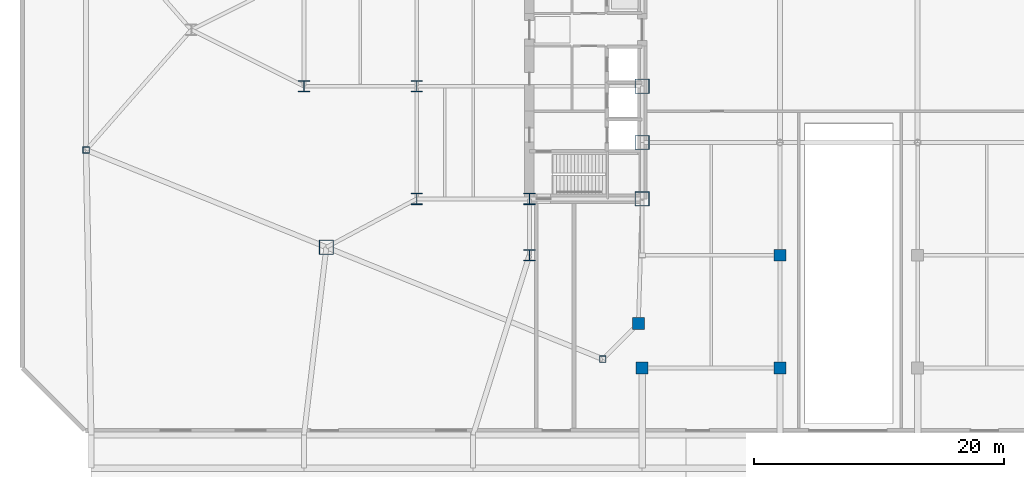
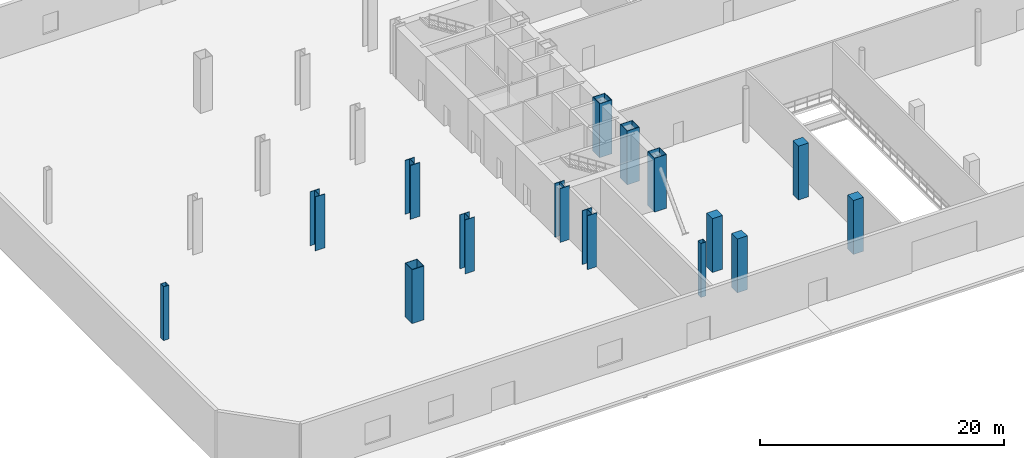
# One storey, part 1 of 21: 15 columns.
"""IFC4 building model written with IfcOpenShell, lengths in metres."""

from ifc_helpers import new_model, si_unit, direction, frame, origin, origin_2d, place, context, subcontext, project, spatial, rectangle, hollow_rectangle, i_section, extrude, source, transform, mapped, material, material_profile, profile_set, type_object, type_shapes, element, save


model = new_model("IFC4")

# Units and contexts
model_context = context("Model", 3, precision=1e-05, world=origin(), true_north=direction((0.0, 1.0)))
body_context = subcontext(model_context, "Body", "Model", "MODEL_VIEW")
ifc_project = project(units=[si_unit("LENGTHUNIT", "METRE"), si_unit("AREAUNIT", "SQUARE_METRE"), si_unit("VOLUMEUNIT", "CUBIC_METRE"), si_unit("PLANEANGLEUNIT", "RADIAN"), si_unit("MASSUNIT", "GRAM", prefix="KILO")], contexts=[model_context])

# Site, building, storey
site_placement = place(None, origin())
site = spatial("IfcSite", under=ifc_project, at=site_placement, CompositionType="ELEMENT")
building_placement = place(site_placement, origin())
building = spatial("IfcBuilding", under=site, at=building_placement, Name="Seokmaru Belvedere", CompositionType="ELEMENT")
storey_placement = place(building_placement, origin())
storey = spatial("IfcBuildingStorey", under=building, at=storey_placement, Name="L00", CompositionType="ELEMENT", Elevation=0.0)

# Columns
ifc_material_1 = material(Name="Steel HSA650 (650 MPa)", Category="steel")
ifc_material_profile_1 = material_profile(ifc_material_1, hollow_rectangle(XDim=1.14990234375, YDim=1.14990234375, WallThickness=0.048095703125, at=origin_2d()), Name="BOX-1150x1150x48")
ifc_profile_set_1 = profile_set([ifc_material_profile_1], Name="Steel HSA650 (650 MPa)")
column_type_1 = type_object("IfcColumnType", Name="Portal Spine Column BOX-1150", PredefinedType="COLUMN", material=ifc_profile_set_1)
shared_shape_1 = source(origin(), body_context, "Body", "SweptSolid", [
    extrude(hollow_rectangle(XDim=1.14990234375, YDim=1.14990234375, WallThickness=0.048095703125, at=origin_2d()), origin(), (0.0, 0.0, 1.0), 5.39990234375),
])
type_shapes(column_type_1, [shared_shape_1])
for number, where, z_axis, x_axis, name in (
    (1, (-27.5, -13.5, 0.0), (0.0, 0.0, 1.0), (1.0, 0.0, 0.0), "L00 Column WS1"),
    (2, (-27.5, -9.0, 0.0), (0.0, 0.0, 1.0), (1.0, 0.0, 0.0), "L00 Column WS2"),
    (3, (-27.5, -4.5, 0.0), (0.0, 0.0, 1.0), (1.0, 0.0, 0.0), "L00 Column WS3"),
    (4, (-52.715576171875, -17.360595703125, 0.0), (0.0, 0.0, 1.0), (1.0, 0.0, 0.0), "L00 Column WFLK_S2"),
):
    element("IfcColumn", number, at=place(storey_placement, frame(where, z_axis=z_axis, x_axis=x_axis)), inside=storey, type_object=column_type_1, Name=name, PredefinedType="COLUMN", context=body_context, shape_type="MappedRepresentation", body=[
        mapped(shared_shape_1, transform((0.0, 0.0, 0.0), scale=1.0)),
    ])
ifc_material_2 = material(Name="Concrete C50 (50 MPa)", Category="concrete")
ifc_material_profile_2 = material_profile(ifc_material_2, rectangle(XDim=0.949951171875, YDim=0.949951171875, at=origin_2d()), Name="RC-950x950")
ifc_profile_set_2 = profile_set([ifc_material_profile_2], Name="Concrete C50 (50 MPa)")
column_type_2 = type_object("IfcColumnType", Name="Podium Substructure Column RC-950", PredefinedType="COLUMN", material=ifc_profile_set_2)
shared_shape_2 = source(origin(), body_context, "Body", "SweptSolid", [
    extrude(rectangle(XDim=0.949951171875, YDim=0.949951171875, at=origin_2d()), origin(), (0.0, 0.0, 1.0), 5.39990234375),
])
type_shapes(column_type_2, [shared_shape_2])
for number, where, z_axis, x_axis, name in (
    (5, (-27.5, -27.0, 0.0), (0.0, 0.0, 1.0), (1.0, 0.0, 0.0), "L00 Column WPS1"),
    (6, (-27.800048828125, -23.451416015625, 0.0), (0.0, 0.0, 1.0), (1.0, 0.0, 0.0), "L00 Column WPM_S"),
    (7, (-16.5, -27.0, 0.0), (0.0, 0.0, 1.0), (1.0, 0.0, 0.0), "L00 Column CP1_1"),
    (8, (-16.5, -18.0, 0.0), (0.0, 0.0, 1.0), (1.0, 0.0, 0.0), "L00 Column CP1_2"),
):
    element("IfcColumn", number, at=place(storey_placement, frame(where, z_axis=z_axis, x_axis=x_axis)), inside=storey, type_object=column_type_2, Name=name, PredefinedType="COLUMN", context=body_context, shape_type="MappedRepresentation", body=[
        mapped(shared_shape_2, transform((0.0, 0.0, 0.0), scale=1.0)),
    ])
ifc_material_profile_3 = material_profile(ifc_material_1, i_section(OverallWidth=0.89990234375, OverallDepth=0.89990234375, WebThickness=0.035888671875, FlangeThickness=0.054931640625, at=origin_2d()), Name="H-900x900x36x55")
ifc_profile_set_3 = profile_set([ifc_material_profile_3], Name="Steel HSA650 (650 MPa)")
column_type_3 = type_object("IfcColumnType", Name="Lower Interior Column H-900", PredefinedType="COLUMN", material=ifc_profile_set_3)
shared_shape_3 = source(origin(), body_context, "Body", "SweptSolid", [
    extrude(i_section(OverallWidth=0.89990234375, OverallDepth=0.89990234375, WebThickness=0.035888671875, FlangeThickness=0.054931640625, at=origin_2d()), origin(), (0.0, 0.0, 1.0), 5.39990234375),
])
type_shapes(column_type_3, [shared_shape_3])
for number, where, z_axis, x_axis, name in (
    (9, (-36.5, -18.0, 0.0), (0.0, 0.0, 1.0), (1.0, 0.0, 0.0), "L00 Column WC1"),
    (10, (-36.5, -13.5, 0.0), (0.0, 0.0, 1.0), (1.0, 0.0, 0.0), "L00 Column WC2"),
    (11, (-45.5, -13.5, 0.0), (0.0, 0.0, 1.0), (1.0, 0.0, 0.0), "L00 Column WG5_1"),
    (12, (-45.5, -4.5, 0.0), (0.0, 0.0, 1.0), (1.0, 0.0, 0.0), "L00 Column WG5_2"),
    (13, (-54.5, -4.5, 0.0), (0.0, 0.0, 1.0), (1.0, 0.0, 0.0), "L00 Column WG4P_1"),
):
    element("IfcColumn", number, at=place(storey_placement, frame(where, z_axis=z_axis, x_axis=x_axis)), inside=storey, type_object=column_type_3, Name=name, PredefinedType="COLUMN", context=body_context, shape_type="MappedRepresentation", body=[
        mapped(shared_shape_3, transform((0.0, 0.0, 0.0), scale=1.0)),
    ])
ifc_material_3 = material(Name="Steel SM355 (355 MPa)", Category="steel")
ifc_material_profile_4 = material_profile(ifc_material_3, hollow_rectangle(XDim=0.5, YDim=0.5, WallThickness=0.02001953125, at=origin_2d()), Name="HSS-500x500x20")
ifc_profile_set_4 = profile_set([ifc_material_profile_4], Name="Steel SM355 (355 MPa)")
column_type_4 = type_object("IfcColumnType", Name="Perimeter Facet Column HSS-500", PredefinedType="COLUMN", material=ifc_profile_set_4)
shared_shape_4 = source(origin(), body_context, "Body", "SweptSolid", [
    extrude(hollow_rectangle(XDim=0.5, YDim=0.5, WallThickness=0.02001953125, at=origin_2d()), origin(), (0.0, 0.0, 1.0), 5.39990234375),
])
type_shapes(column_type_4, [shared_shape_4])
for number, where, z_axis, x_axis, name in (
    (14, (-71.89990234375, -9.595703125, 0.0), (0.0, 0.0, 1.0), (1.0, 0.0, 0.0), "L00 Column WF5"),
    (15, (-30.643310546875, -26.294677734375, 0.0), (0.0, 0.0, 1.0), (1.0, 0.0, 0.0), "L00 Column WF6"),
):
    element("IfcColumn", number, at=place(storey_placement, frame(where, z_axis=z_axis, x_axis=x_axis)), inside=storey, type_object=column_type_4, Name=name, PredefinedType="COLUMN", context=body_context, shape_type="MappedRepresentation", body=[
        mapped(shared_shape_4, transform((0.0, 0.0, 0.0), scale=1.0)),
    ])

save(model, "model.ifc")
